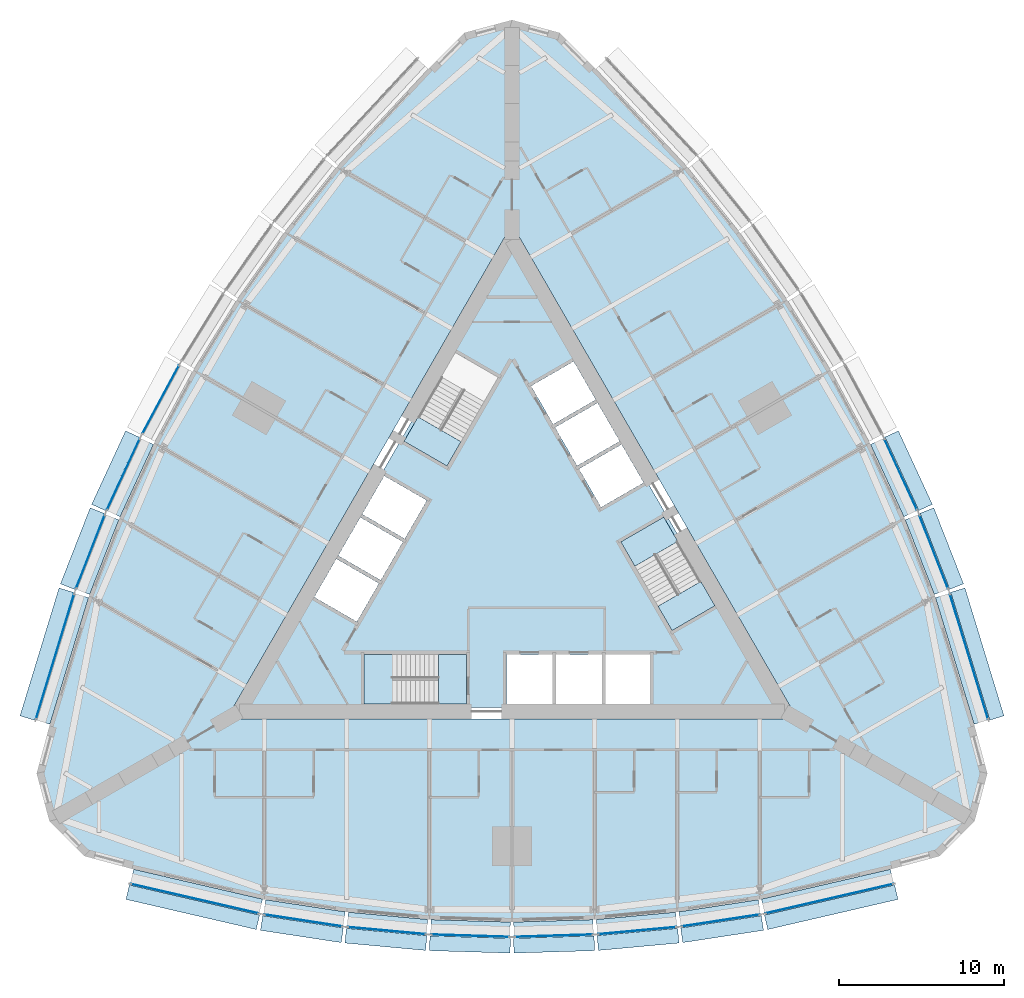
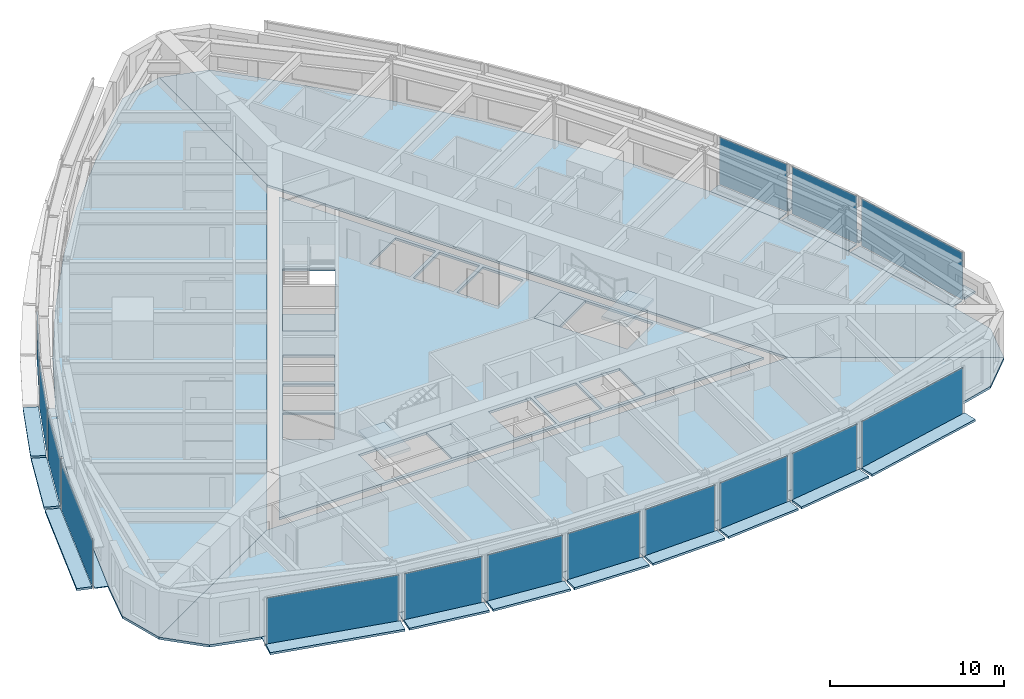
# One storey, part 6 of 14: 43 plates, 9 slabs, 18 elements without a shape of their own.
"""IFC4 building model written with IfcOpenShell, lengths in metres."""

import ifcopenshell
import ifcopenshell.guid

model = None  # the IFC model being written
_history = None  # IfcOwnerHistory: only IFC2X3 demands one
_inside = {}  # id of a spatial element -> (the spatial element, [elements in it])
_under = {}  # id of a project, library or spatial element -> (it, [spatial elements below it])
_declared = {}  # id of a project -> (the project, [libraries it declares])
_typed = {}  # id of a type object -> (the type object, [elements of that type])
_made_of = {}  # id of a material, layer set ... -> (it, [elements and type objects made of it])


def new_model(schema):
    """Start an empty IFC model of exactly this schema.

    Asked for "IFC4X3", IfcOpenShell would pick the latest addendum, in which some entities
    have other attributes; the version numbers below select the first issue.
    IFC2X3 requires an IfcOwnerHistory on every rooted entity: one is made here for all.
    """
    global model, _history
    if schema == "IFC4X3":
        model = ifcopenshell.file(schema_version=(4, 3, 0, 0))
    else:
        model = ifcopenshell.file(schema=schema)
    _inside.clear()
    _under.clear()
    _declared.clear()
    _typed.clear()
    _made_of.clear()
    _history = None
    if model.schema == "IFC2X3":
        org = make("IfcOrganization", Name="unknown")
        user = make(
            "IfcPersonAndOrganization",
            ThePerson=make("IfcPerson", FamilyName="unknown"),
            TheOrganization=org,
        )
        app = make(
            "IfcApplication",
            ApplicationDeveloper=org,
            Version="unknown",
            ApplicationFullName="unknown",
            ApplicationIdentifier="unknown",
        )
        _history = make(
            "IfcOwnerHistory",
            OwningUser=user,
            OwningApplication=app,
            ChangeAction="ADDED",
            CreationDate=0,
        )
    return model


def make(cls, **values):
    """One entity of the class cls with the attributes given. An attribute that is None is left unset."""
    return model.create_entity(
        cls, **{name: value for name, value in values.items() if value is not None}
    )


def rooted(cls, **values):
    """An entity with a GlobalId (a new one), such as an element, a storey or a relation."""
    return make(cls, GlobalId=ifcopenshell.guid.new(), OwnerHistory=_history, **values)


def si_unit(unit_type, name, prefix=None):
    """IfcSIUnit, for example si_unit("LENGTHUNIT", "METRE", prefix="MILLI")."""
    return make("IfcSIUnit", UnitType=unit_type, Prefix=prefix, Name=name)


def assignment(units):
    """IfcUnitAssignment: the units of a project."""
    return None if units is None else make("IfcUnitAssignment", Units=units)


def point(xyz):
    """IfcCartesianPoint."""
    return None if xyz is None else make("IfcCartesianPoint", Coordinates=xyz)


def direction(xyz):
    """IfcDirection."""
    return None if xyz is None else make("IfcDirection", DirectionRatios=xyz)


def frame(location, z_axis=None, x_axis=None):
    """IfcAxis2Placement3D, a coordinate frame: its origin and axes. An axis left out is left unset."""
    return make(
        "IfcAxis2Placement3D",
        Location=point(location),
        Axis=direction(z_axis),
        RefDirection=direction(x_axis),
    )


def frame_2d(location, x_axis=None):
    """IfcAxis2Placement2D, a coordinate frame in the plane: its origin and x axis."""
    return make(
        "IfcAxis2Placement2D", Location=point(location), RefDirection=direction(x_axis)
    )


def origin():
    """The frame at (0, 0, 0) with its axes left unset."""
    return frame((0.0, 0.0, 0.0))


def origin_2d():
    """The frame at (0, 0) in the plane with its x axis left unset."""
    return frame_2d((0.0, 0.0))


def place(relative_to, where):
    """IfcLocalPlacement: puts the frame where relative to a parent placement (None: the world)."""
    return make(
        "IfcLocalPlacement", PlacementRelTo=relative_to, RelativePlacement=where
    )


def context(
    kind, dimensions, precision=None, world=None, true_north=None, identifier=None
):
    """IfcGeometricRepresentationContext, for example the 3D "Model" context."""
    return make(
        "IfcGeometricRepresentationContext",
        ContextIdentifier=identifier,
        ContextType=kind,
        CoordinateSpaceDimension=dimensions,
        Precision=precision,
        WorldCoordinateSystem=world,
        TrueNorth=true_north,
    )


def subcontext(parent, identifier, kind, view, scale=None):
    """IfcGeometricRepresentationSubContext, for example "Body" below "Model"."""
    return make(
        "IfcGeometricRepresentationSubContext",
        ContextIdentifier=identifier,
        ContextType=kind,
        ParentContext=parent,
        TargetScale=scale,
        TargetView=view,
    )


def project(units=None, contexts=None):
    """IfcProject with its units and contexts."""
    return rooted(
        "IfcProject",
        Name="project",
        RepresentationContexts=contexts,
        UnitsInContext=assignment(units),
    )


def spatial(cls, under=None, at=None, **own):
    """A site, building, storey or space (cls), placed at a placement, below another one or the project."""
    s = rooted(cls, ObjectPlacement=at, **own)
    if under is not None:
        _under.setdefault(under.id(), (under, []))[1].append(s)
    return s


def polyline(points):
    """IfcPolyline through the points."""
    return make("IfcPolyline", Points=[point(p) for p in points])


def profile(cls, at=None, kind="AREA", **sizes):
    """A parametric profile (cls). Its sizes go by their IFC names, for example OverallWidth=200.0."""
    return make(cls, ProfileType=kind, Position=at, **sizes)


def rectangle(**sizes):
    """IfcRectangleProfileDef."""
    return profile("IfcRectangleProfileDef", **sizes)


def outline(outer, holes=None, kind="AREA"):
    """IfcArbitraryClosedProfileDef: a profile drawn as a closed curve; with holes, ...WithVoids."""
    if holes is None:
        return make("IfcArbitraryClosedProfileDef", ProfileType=kind, OuterCurve=outer)
    return make(
        "IfcArbitraryProfileDefWithVoids",
        ProfileType=kind,
        OuterCurve=outer,
        InnerCurves=holes,
    )


def extrude(swept, where, along, depth):
    """IfcExtrudedAreaSolid: the profile swept, set in the frame where, extruded along a direction by depth."""
    return make(
        "IfcExtrudedAreaSolid",
        SweptArea=swept,
        Position=where,
        ExtrudedDirection=direction(along),
        Depth=depth,
    )


def shape(context_of_items, identifier, shape_type, items):
    """IfcShapeRepresentation: the items that make up one representation, for example the "Body"."""
    return make(
        "IfcShapeRepresentation",
        ContextOfItems=context_of_items,
        RepresentationIdentifier=identifier,
        RepresentationType=shape_type,
        Items=items,
    )


def material(Name=None, Category=None):
    """IfcMaterial."""
    return make("IfcMaterial", Name=Name, Category=Category)


def layer(
    of_material, thickness, ventilated=None, Name=None, Category=None, Priority=None
):
    """IfcMaterialLayer: one layer of a wall or slab, of a material (None: an air gap)."""
    return make(
        "IfcMaterialLayer",
        Material=of_material,
        LayerThickness=thickness,
        IsVentilated=ventilated,
        Name=Name,
        Category=Category,
        Priority=Priority,
    )


def layer_set(layers, Name=None):
    """IfcMaterialLayerSet."""
    return make("IfcMaterialLayerSet", MaterialLayers=layers, LayerSetName=Name)


def made_of(thing, what):
    """Note that an element or type object is made of a material, layer set ...; save() writes the relation."""
    if what is not None:
        _made_of.setdefault(what.id(), (what, []))[1].append(thing)
    return thing


def type_object(cls, material=None, **own):
    """A type object (cls), such as IfcWallType, which elements share."""
    return made_of(rooted(cls, **own), material)


def element(
    cls,
    number,
    at=None,
    inside=None,
    cuts=None,
    type_object=None,
    material=None,
    context=None,
    identifier="Body",
    shape_type=None,
    held_by="IfcProductDefinitionShape",
    body=None,
    shapes=None,
    **own,
):
    """One element of the class cls, such as IfcWall. Its Tag is "e" and its number.

    at: its placement. inside: the storey or other place that contains it. cuts: it is an
    opening in that element (IfcRelVoidsElement). A single representation is given by context,
    identifier, shape_type and body (its items); several are given by shapes. held_by: the class
    of the entity that holds the representations. save() writes the other relations.
    """
    e = rooted(cls, Tag="e%d" % number, ObjectPlacement=at, **own)
    if body is not None:
        shapes = [shape(context, identifier, shape_type, body)]
    if shapes is not None:
        e.Representation = make(held_by, Representations=shapes)
    if inside is not None:
        _inside.setdefault(inside.id(), (inside, []))[1].append(e)
    if cuts is not None:
        rooted(
            "IfcRelVoidsElement", RelatingBuildingElement=cuts, RelatedOpeningElement=e
        )
    if type_object is not None:
        _typed.setdefault(type_object.id(), (type_object, []))[1].append(e)
    return made_of(e, material)


def aggregate(whole, parts):
    """IfcRelAggregates: a whole, such as a stair, and the parts it consists of."""
    return rooted("IfcRelAggregates", RelatingObject=whole, RelatedObjects=parts)


def save(model, path):
    """Write the relations noted so far, then the file.

    IfcRelAggregates (storeys below a building ...), IfcRelContainedInSpatialStructure (elements
    in a storey), IfcRelDefinesByType, IfcRelAssociatesMaterial and IfcRelDeclares: one each for
    every whole, place, type object, material and project.
    """
    for whole, parts in _under.values():
        aggregate(whole, parts)
    for where, things in _inside.values():
        rooted(
            "IfcRelContainedInSpatialStructure",
            RelatedElements=things,
            RelatingStructure=where,
        )
    for kind, things in _typed.values():
        rooted("IfcRelDefinesByType", RelatedObjects=things, RelatingType=kind)
    for what, things in _made_of.values():
        rooted("IfcRelAssociatesMaterial", RelatedObjects=things, RelatingMaterial=what)
    for by, libraries in _declared.values():
        rooted("IfcRelDeclares", RelatingContext=by, RelatedDefinitions=libraries)
    model.write(path)


model = new_model("IFC4")

# Units and contexts
model_context = context("Model", 3, precision=1e-05, world=origin(), true_north=direction((0.0, 1.0)))
body_context = subcontext(model_context, "Body", "Model", "MODEL_VIEW")
ifc_project = project(units=[si_unit("LENGTHUNIT", "METRE"), si_unit("AREAUNIT", "SQUARE_METRE"), si_unit("VOLUMEUNIT", "CUBIC_METRE"), si_unit("PLANEANGLEUNIT", "RADIAN"), si_unit("MASSUNIT", "GRAM", prefix="KILO")], contexts=[model_context])

# Site, building, storey
site_placement = place(None, origin())
site = spatial("IfcSite", under=ifc_project, at=site_placement, CompositionType="ELEMENT")
building_placement = place(site_placement, origin())
building = spatial("IfcBuilding", under=site, at=building_placement, Name="Trikona Tower", CompositionType="ELEMENT")
storey_placement = place(building_placement, frame((0.0, 0.0, 82.89990234375)))
storey = spatial("IfcBuildingStorey", under=building, at=storey_placement, Name="L21", CompositionType="ELEMENT", Elevation=82.89990234375)

# Plates
ifc_material_1 = material(Name="Aluminium bar grating", Category="aluminium")
ifc_layer_1 = layer(ifc_material_1, 0.050048828125)
ifc_layer_set_1 = layer_set([ifc_layer_1], Name="Cavity catwalk grating")
plate_type_1 = type_object("IfcPlateType", Name="Cavity catwalk grating", PredefinedType="USERDEFINED", material=ifc_layer_set_1)
plate_1_placement = place(storey_placement, frame((-19.09228515625, -20.377197265625, -0.0498046875), z_axis=(0.0, 0.0, 1.0), x_axis=(0.974277718622, -0.225350675607, 0.0)))
element("IfcPlate", 1, at=plate_1_placement, inside=storey, type_object=plate_type_1, Name="Cavity catwalk L21-00", ObjectType="CATWALK GRATING", PredefinedType="USERDEFINED", context=body_context, shape_type="SweptSolid", body=[
    extrude(rectangle(XDim=8.01123046875, YDim=0.820068359375, at=origin_2d()), origin(), (0.0, 0.0, 1.0), 0.050048828125),
])
plate_2_placement = place(storey_placement, frame((-12.561767578125, -21.688720703125, -0.0498046875), z_axis=(0.0, 0.0, 1.0), x_axis=(0.988617896768, -0.150448177754, 0.0)))
element("IfcPlate", 2, at=plate_2_placement, inside=storey, type_object=plate_type_1, Name="Cavity catwalk L21-01", ObjectType="CATWALK GRATING", PredefinedType="USERDEFINED", context=body_context, shape_type="SweptSolid", body=[
    extrude(rectangle(XDim=4.857666015625, YDim=0.820068359375, at=origin_2d()), origin(), (0.0, 0.0, 1.0), 0.050048828125),
])
plate_3_placement = place(storey_placement, frame((-7.537353515625, -22.300537109375, -0.0498046875), z_axis=(0.0, 0.0, 1.0), x_axis=(0.995858098326, -0.090921108655, 0.0)))
element("IfcPlate", 3, at=plate_3_placement, inside=storey, type_object=plate_type_1, Name="Cavity catwalk L21-02", ObjectType="CATWALK GRATING", PredefinedType="USERDEFINED", context=body_context, shape_type="SweptSolid", body=[
    extrude(rectangle(XDim=4.82080078125, YDim=0.820068359375, at=origin_2d()), origin(), (0.0, 0.0, 1.0), 0.050048828125),
])
for number, where, z_axis, x_axis, name in (
    (4, (-2.512451171875, -22.606201171875, -0.0498046875), (0.0, 0.0, 1.0), (0.999537048889, -0.030425119525, 0.0), "Cavity catwalk L21-03"),
    (5, (2.512451171875, -22.606201171875, -0.0498046875), (0.0, 0.0, 1.0), (0.999537048889, 0.030425119525, 0.0), "Cavity catwalk L21-04"),
):
    element("IfcPlate", number, at=place(storey_placement, frame(where, z_axis=z_axis, x_axis=x_axis)), inside=storey, type_object=plate_type_1, Name=name, ObjectType="CATWALK GRATING", PredefinedType="USERDEFINED", context=body_context, shape_type="SweptSolid", body=[
        extrude(rectangle(XDim=4.80224609375, YDim=0.820068359375, at=origin_2d()), origin(), (0.0, 0.0, 1.0), 0.050048828125),
    ])
plate_4_placement = place(storey_placement, frame((7.537353515625, -22.300537109375, -0.0498046875), z_axis=(0.0, 0.0, 1.0), x_axis=(0.995858098326, 0.090921108655, 0.0)))
element("IfcPlate", 6, at=plate_4_placement, inside=storey, type_object=plate_type_1, Name="Cavity catwalk L21-05", ObjectType="CATWALK GRATING", PredefinedType="USERDEFINED", context=body_context, shape_type="SweptSolid", body=[
    extrude(rectangle(XDim=4.82080078125, YDim=0.820068359375, at=origin_2d()), origin(), (0.0, 0.0, 1.0), 0.050048828125),
])
plate_5_placement = place(storey_placement, frame((12.561767578125, -21.688720703125, -0.0498046875), z_axis=(0.0, 0.0, 1.0), x_axis=(0.988617896768, 0.150448177754, 0.0)))
element("IfcPlate", 7, at=plate_5_placement, inside=storey, type_object=plate_type_1, Name="Cavity catwalk L21-06", ObjectType="CATWALK GRATING", PredefinedType="USERDEFINED", context=body_context, shape_type="SweptSolid", body=[
    extrude(rectangle(XDim=4.857666015625, YDim=0.820068359375, at=origin_2d()), origin(), (0.0, 0.0, 1.0), 0.050048828125),
])
for number, where, z_axis, x_axis, name in (
    (8, (19.09228515625, -20.377197265625, -0.0498046875), (0.0, 0.0, 1.0), (0.974277718622, 0.225350675607, 0.0), "Cavity catwalk L21-07"),
    (9, (27.193359375, -6.345947265625, -0.0498046875), (0.0, 0.0, 1.0), (-0.291979449475, 0.956424592471, 0.0), "Cavity catwalk L21-12"),
):
    element("IfcPlate", number, at=place(storey_placement, frame(where, z_axis=z_axis, x_axis=x_axis)), inside=storey, type_object=plate_type_1, Name=name, ObjectType="CATWALK GRATING", PredefinedType="USERDEFINED", context=body_context, shape_type="SweptSolid", body=[
        extrude(rectangle(XDim=8.01123046875, YDim=0.820068359375, at=origin_2d()), origin(), (0.0, 0.0, 1.0), 0.050048828125),
    ])
plate_6_placement = place(storey_placement, frame((25.06396484375, -0.034423828125, -0.0498046875), z_axis=(0.0, 0.0, 1.0), x_axis=(-0.364008876551, 0.931395478726, 0.0)))
element("IfcPlate", 10, at=plate_6_placement, inside=storey, type_object=plate_type_1, Name="Cavity catwalk L21-13", ObjectType="CATWALK GRATING", PredefinedType="USERDEFINED", context=body_context, shape_type="SweptSolid", body=[
    extrude(rectangle(XDim=4.857666015625, YDim=0.820068359375, at=origin_2d()), origin(), (0.0, 0.0, 1.0), 0.050048828125),
])
for number, where, z_axis, x_axis, name in (
    (11, (23.081298828125, 4.622802734375, -0.0498046875), (0.0, 0.0, 1.0), (-0.41919381307, 0.907896771161, 0.0), "Cavity catwalk L21-14"),
    (12, (-23.081298828125, 4.622802734375, -0.0498046875), (0.0, 0.0, 1.0), (-0.41919381307, -0.907896771161, 0.0), "Cavity catwalk L21-29"),
):
    element("IfcPlate", number, at=place(storey_placement, frame(where, z_axis=z_axis, x_axis=x_axis)), inside=storey, type_object=plate_type_1, Name=name, ObjectType="CATWALK GRATING", PredefinedType="USERDEFINED", context=body_context, shape_type="SweptSolid", body=[
        extrude(rectangle(XDim=4.82080078125, YDim=0.820068359375, at=origin_2d()), origin(), (0.0, 0.0, 1.0), 0.050048828125),
    ])
plate_7_placement = place(storey_placement, frame((-25.06396484375, -0.034423828125, -0.0498046875), z_axis=(0.0, 0.0, 1.0), x_axis=(-0.364008876551, -0.931395478726, 0.0)))
element("IfcPlate", 13, at=plate_7_placement, inside=storey, type_object=plate_type_1, Name="Cavity catwalk L21-30", ObjectType="CATWALK GRATING", PredefinedType="USERDEFINED", context=body_context, shape_type="SweptSolid", body=[
    extrude(rectangle(XDim=4.857666015625, YDim=0.820068359375, at=origin_2d()), origin(), (0.0, 0.0, 1.0), 0.050048828125),
])
plate_8_placement = place(storey_placement, frame((-27.193359375, -6.345947265625, -0.0498046875), z_axis=(0.0, 0.0, 1.0), x_axis=(-0.291979449475, -0.956424592471, 0.0)))
element("IfcPlate", 14, at=plate_8_placement, inside=storey, type_object=plate_type_1, Name="Cavity catwalk L21-31", ObjectType="CATWALK GRATING", PredefinedType="USERDEFINED", context=body_context, shape_type="SweptSolid", body=[
    extrude(rectangle(XDim=8.01123046875, YDim=0.820068359375, at=origin_2d()), origin(), (0.0, 0.0, 1.0), 0.050048828125),
])

# Slabs
ifc_material_2 = material(Name="Concrete f'c 5000 psi lightweight on composite steel deck", Category="concrete")
ifc_layer_2 = layer(ifc_material_2, 0.1650390625)
ifc_layer_set_2 = layer_set([ifc_layer_2], Name="Composite floor slab 165")
slab_type_1 = type_object("IfcSlabType", Name="Composite floor slab 165", PredefinedType="FLOOR", material=ifc_layer_set_2)
slab_1_placement = place(storey_placement, frame((0.0, 0.0, -0.164794921875)))
element("IfcSlab", 15, at=slab_1_placement, inside=storey, type_object=slab_type_1, Name="Floor slab L21 core", PredefinedType="FLOOR", context=body_context, shape_type="SweptSolid", body=[
    extrude(outline(polyline([(-16.06689453125, -9.2763671875), (16.06689453125, -9.2763671875), (0.0, 18.552490234375), (-16.06689453125, -9.2763671875)]), holes=[polyline([(12.285400390625, -3.126220703125), (9.185302734375, 2.2431640625), (6.587158203125, 0.7431640625), (9.687255859375, -4.626220703125), (12.285400390625, -3.126220703125)]), polyline([(8.340087890625, -9.06640625), (8.340087890625, -6.086181640625), (5.659912109375, -6.086181640625), (5.659912109375, -9.06640625), (8.340087890625, -9.06640625)]), polyline([(5.390869140625, 2.835205078125), (7.9716796875, 4.3251953125), (6.631591796875, 6.646240234375), (4.05078125, 5.15625), (5.390869140625, 2.835205078125)]), polyline([(2.600830078125, 7.667724609375), (3.94091796875, 5.3466796875), (6.521484375, 6.8369140625), (5.181640625, 9.15771484375), (2.600830078125, 7.667724609375)]), polyline([(5.43994140625, -6.086181640625), (2.659912109375, -6.086181640625), (2.659912109375, -9.06640625), (5.43994140625, -9.06640625), (5.43994140625, -6.086181640625)]), polyline([(3.731689453125, 11.669189453125), (1.15087890625, 10.17919921875), (2.490966796875, 7.858154296875), (5.071533203125, 9.34814453125), (3.731689453125, 11.669189453125)]), polyline([(-0.340087890625, -6.086181640625), (-0.340087890625, -9.06640625), (2.43994140625, -9.06640625), (2.43994140625, -6.086181640625), (-0.340087890625, -6.086181640625)]), polyline([(-3.435302734375, 12.202392578125), (-6.535400390625, 6.8330078125), (-3.937255859375, 5.3330078125), (-0.837158203125, 10.702392578125), (-3.435302734375, 12.202392578125)]), polyline([(-8.949951171875, -9.076416015625), (-2.75, -9.076416015625), (-2.75, -6.076416015625), (-8.949951171875, -6.076416015625), (-8.949951171875, -9.076416015625)]), polyline([(-5.15087890625, 3.2509765625), (-7.731689453125, 4.740966796875), (-9.071533203125, 2.419921875), (-6.490966796875, 0.929931640625), (-5.15087890625, 3.2509765625)]), polyline([(-7.94091796875, -1.581298828125), (-6.600830078125, 0.739501953125), (-9.181640625, 2.2294921875), (-10.521484375, -0.09130859375), (-7.94091796875, -1.581298828125)]), polyline([(-11.9716796875, -2.602783203125), (-9.390869140625, -4.093017578125), (-8.05078125, -1.77197265625), (-10.631591796875, -0.281982421875), (-11.9716796875, -2.602783203125)])]), origin(), (0.0, 0.0, 1.0), 0.164794921875),
])
slab_2_placement = place(storey_placement, frame((0.0, 0.0, -0.164794921875)))
element("IfcSlab", 16, at=slab_2_placement, inside=storey, type_object=slab_type_1, Name="Floor slab L21 south", PredefinedType="FLOOR", context=body_context, shape_type="SweptSolid", body=[
    extrude(outline(polyline([(25.88671875, -18.279052734375), (28.0, -16.165771484375), (17.279296875, -9.976318359375), (-17.279296875, -9.976318359375), (-28.0, -16.165771484375), (-25.88671875, -18.279052734375), (-23.0, -19.052490234375), (-15.0, -20.903076171875), (-10.0, -21.663818359375), (-5.0, -22.120361328125), (0.0, -22.272705078125), (5.0, -22.120361328125), (10.0, -21.663818359375), (15.0, -20.903076171875), (23.0, -19.052490234375), (25.88671875, -18.279052734375)])), origin(), (0.0, 0.0, 1.0), 0.164794921875),
])
slab_3_placement = place(storey_placement, frame((0.0, 0.0, -0.164794921875)))
element("IfcSlab", 17, at=slab_3_placement, inside=storey, type_object=slab_type_1, Name="Floor slab L21 north-east", PredefinedType="FLOOR", context=body_context, shape_type="SweptSolid", body=[
    extrude(outline(polyline([(2.88671875, 31.55810546875), (0.0, 32.33154296875), (0.0, 19.95263671875), (17.279296875, -9.976318359375), (28.0, -16.165771484375), (28.7734375, -13.279052734375), (28.0, -10.392333984375), (25.6025390625, -2.538818359375), (23.761474609375, 2.171630859375), (21.65673828125, 6.72998046875), (19.28857421875, 11.13623046875), (16.65673828125, 15.390380859375), (13.761474609375, 19.4921875), (10.6025390625, 23.44189453125), (5.0, 29.44482421875), (2.88671875, 31.55810546875)])), origin(), (0.0, 0.0, 1.0), 0.164794921875),
])
slab_4_placement = place(storey_placement, frame((0.0, 0.0, -0.164794921875)))
element("IfcSlab", 18, at=slab_4_placement, inside=storey, type_object=slab_type_1, Name="Floor slab L21 north-west", PredefinedType="FLOOR", context=body_context, shape_type="SweptSolid", body=[
    extrude(outline(polyline([(0.0, 19.95263671875), (0.0, 32.33154296875), (-2.88671875, 31.55810546875), (-5.0, 29.44482421875), (-10.6025390625, 23.44189453125), (-13.761474609375, 19.4921875), (-16.65673828125, 15.390380859375), (-19.28857421875, 11.13623046875), (-21.65673828125, 6.72998046875), (-23.761474609375, 2.171630859375), (-25.6025390625, -2.538818359375), (-28.0, -10.392333984375), (-28.7734375, -13.279052734375), (-28.0, -16.165771484375), (-17.279296875, -9.976318359375), (0.0, 19.95263671875)])), origin(), (0.0, 0.0, 1.0), 0.164794921875),
])

# Curtain wall, plate
ifc_material_3 = material(Name="Aluminium curtain wall system", Category="aluminium")
curtain_wall_type = type_object("IfcCurtainWallType", Name="Curtain wall DS1", PredefinedType="NOTDEFINED", material=ifc_material_3)
curtain_wall_1_placement = place(storey_placement, origin())
curtain_wall_1 = element("IfcCurtainWall", 19, at=curtain_wall_1_placement, inside=storey, type_object=curtain_wall_type, Name="Curtain wall DS1 L21", PredefinedType="NOTDEFINED")
ifc_material_4 = material(Name="Laminated clear glass", Category="glass")
ifc_layer_3 = layer(ifc_material_4, 0.028076171875)
ifc_layer_set_3 = layer_set([ifc_layer_3], Name="Glass panel DS1")
plate_type_2 = type_object("IfcPlateType", Name="Glass panel DS1", PredefinedType="CURTAIN_PANEL", material=ifc_layer_set_3)
plate_9_placement = place(storey_placement, frame((-19.202880859375, -20.854736328125, 0.0), z_axis=(0.0, 0.0, 1.0), x_axis=(0.974279427173, -0.225343288756, 0.0)))
plate_9 = element("IfcPlate", 20, at=plate_9_placement, type_object=plate_type_2, Name="CW-DS1 panel 1.1", PredefinedType="CURTAIN_PANEL", context=body_context, shape_type="SweptSolid", body=[
    extrude(rectangle(XDim=7.93115234375, YDim=0.028076171875, at=origin_2d()), origin(), (0.0, 0.0, 1.0), 3.320068359375),
])
aggregate(curtain_wall_1, [plate_9])

curtain_wall_2_placement = place(storey_placement, origin())
curtain_wall_2 = element("IfcCurtainWall", 21, at=curtain_wall_2_placement, inside=storey, type_object=curtain_wall_type, Name="Curtain wall DS1 L21", PredefinedType="NOTDEFINED")
plate_10_placement = place(storey_placement, frame((-12.635498046875, -22.173095703125, 0.0), z_axis=(0.0, 0.0, 1.0), x_axis=(0.988619492156, -0.150437693845, 0.0)))
plate_10 = element("IfcPlate", 22, at=plate_10_placement, type_object=plate_type_2, Name="CW-DS1 panel 1.1", PredefinedType="CURTAIN_PANEL", context=body_context, shape_type="SweptSolid", body=[
    extrude(rectangle(XDim=4.777587890625, YDim=0.028076171875, at=origin_2d()), origin(), (0.0, 0.0, 1.0), 3.320068359375),
])
aggregate(curtain_wall_2, [plate_10])

curtain_wall_3_placement = place(storey_placement, origin())
curtain_wall_3 = element("IfcCurtainWall", 23, at=curtain_wall_3_placement, inside=storey, type_object=curtain_wall_type, Name="Curtain wall DS1 L21", PredefinedType="NOTDEFINED")
plate_11_placement = place(storey_placement, frame((-7.581787109375, -22.788330078125, 0.0), z_axis=(0.0, 0.0, 1.0), x_axis=(0.995857840485, -0.090923932737, 0.0)))
plate_11 = element("IfcPlate", 24, at=plate_11_placement, type_object=plate_type_2, Name="CW-DS1 panel 1.1", PredefinedType="CURTAIN_PANEL", context=body_context, shape_type="SweptSolid", body=[
    extrude(rectangle(XDim=4.74072265625, YDim=0.028076171875, at=origin_2d()), origin(), (0.0, 0.0, 1.0), 3.320068359375),
])
aggregate(curtain_wall_3, [plate_11])

curtain_wall_4_placement = place(storey_placement, origin())
curtain_wall_4 = element("IfcCurtainWall", 25, at=curtain_wall_4_placement, inside=storey, type_object=curtain_wall_type, Name="Curtain wall DS1 L21", PredefinedType="NOTDEFINED")
plate_12_placement = place(storey_placement, frame((-2.52734375, -23.09619140625, 0.0), z_axis=(0.0, 0.0, 1.0), x_axis=(0.999536695965, -0.030436711692, 0.0)))
plate_12 = element("IfcPlate", 26, at=plate_12_placement, type_object=plate_type_2, Name="CW-DS1 panel 1.1", PredefinedType="CURTAIN_PANEL", context=body_context, shape_type="SweptSolid", body=[
    extrude(rectangle(XDim=4.72216796875, YDim=0.028076171875, at=origin_2d()), origin(), (0.0, 0.0, 1.0), 3.320068359375),
])
aggregate(curtain_wall_4, [plate_12])

curtain_wall_5_placement = place(storey_placement, origin())
curtain_wall_5 = element("IfcCurtainWall", 27, at=curtain_wall_5_placement, inside=storey, type_object=curtain_wall_type, Name="Curtain wall DS1 L21", PredefinedType="NOTDEFINED")
plate_13_placement = place(storey_placement, frame((2.52734375, -23.09619140625, 0.0), z_axis=(0.0, 0.0, 1.0), x_axis=(0.999536695965, 0.030436711692, 0.0)))
plate_13 = element("IfcPlate", 28, at=plate_13_placement, type_object=plate_type_2, Name="CW-DS1 panel 1.1", PredefinedType="CURTAIN_PANEL", context=body_context, shape_type="SweptSolid", body=[
    extrude(rectangle(XDim=4.72216796875, YDim=0.028076171875, at=origin_2d()), origin(), (0.0, 0.0, 1.0), 3.320068359375),
])
aggregate(curtain_wall_5, [plate_13])

curtain_wall_6_placement = place(storey_placement, origin())
curtain_wall_6 = element("IfcCurtainWall", 29, at=curtain_wall_6_placement, inside=storey, type_object=curtain_wall_type, Name="Curtain wall DS1 L21", PredefinedType="NOTDEFINED")
plate_14_placement = place(storey_placement, frame((7.581787109375, -22.788330078125, 0.0), z_axis=(0.0, 0.0, 1.0), x_axis=(0.995857840485, 0.090923932737, 0.0)))
plate_14 = element("IfcPlate", 30, at=plate_14_placement, type_object=plate_type_2, Name="CW-DS1 panel 1.1", PredefinedType="CURTAIN_PANEL", context=body_context, shape_type="SweptSolid", body=[
    extrude(rectangle(XDim=4.74072265625, YDim=0.028076171875, at=origin_2d()), origin(), (0.0, 0.0, 1.0), 3.320068359375),
])
aggregate(curtain_wall_6, [plate_14])

curtain_wall_7_placement = place(storey_placement, origin())
curtain_wall_7 = element("IfcCurtainWall", 31, at=curtain_wall_7_placement, inside=storey, type_object=curtain_wall_type, Name="Curtain wall DS1 L21", PredefinedType="NOTDEFINED")
plate_15_placement = place(storey_placement, frame((12.635498046875, -22.173095703125, 0.0), z_axis=(0.0, 0.0, 1.0), x_axis=(0.988619492156, 0.150437693845, 0.0)))
plate_15 = element("IfcPlate", 32, at=plate_15_placement, type_object=plate_type_2, Name="CW-DS1 panel 1.1", PredefinedType="CURTAIN_PANEL", context=body_context, shape_type="SweptSolid", body=[
    extrude(rectangle(XDim=4.777587890625, YDim=0.028076171875, at=origin_2d()), origin(), (0.0, 0.0, 1.0), 3.320068359375),
])
aggregate(curtain_wall_7, [plate_15])

curtain_wall_8_placement = place(storey_placement, origin())
curtain_wall_8 = element("IfcCurtainWall", 33, at=curtain_wall_8_placement, inside=storey, type_object=curtain_wall_type, Name="Curtain wall DS1 L21", PredefinedType="NOTDEFINED")
plate_16_placement = place(storey_placement, frame((19.202880859375, -20.854736328125, 0.0), z_axis=(0.0, 0.0, 1.0), x_axis=(0.974279427173, 0.225343288756, 0.0)))
plate_16 = element("IfcPlate", 34, at=plate_16_placement, type_object=plate_type_2, Name="CW-DS1 panel 1.1", PredefinedType="CURTAIN_PANEL", context=body_context, shape_type="SweptSolid", body=[
    extrude(rectangle(XDim=7.93115234375, YDim=0.028076171875, at=origin_2d()), origin(), (0.0, 0.0, 1.0), 3.320068359375),
])
aggregate(curtain_wall_8, [plate_16])

curtain_wall_9_placement = place(storey_placement, origin())
curtain_wall_9 = element("IfcCurtainWall", 35, at=curtain_wall_9_placement, inside=storey, type_object=curtain_wall_type, Name="Curtain wall DS1 L21", PredefinedType="NOTDEFINED")
plate_17_placement = place(storey_placement, frame((27.662109375, -6.202880859375, 0.0), z_axis=(0.0, 0.0, 1.0), x_axis=(-0.291984287868, 0.956423115383, 0.0)))
plate_17 = element("IfcPlate", 36, at=plate_17_placement, type_object=plate_type_2, Name="CW-DS1 panel 1.1", PredefinedType="CURTAIN_PANEL", context=body_context, shape_type="SweptSolid", body=[
    extrude(rectangle(XDim=7.93115234375, YDim=0.028076171875, at=origin_2d()), origin(), (0.0, 0.0, 1.0), 3.320068359375),
])
aggregate(curtain_wall_9, [plate_17])

curtain_wall_10_placement = place(storey_placement, origin())
curtain_wall_10 = element("IfcCurtainWall", 37, at=curtain_wall_10_placement, inside=storey, type_object=curtain_wall_type, Name="Curtain wall DS1 L21", PredefinedType="NOTDEFINED")
plate_18_placement = place(storey_placement, frame((25.520263671875, 0.14404296875, 0.0), z_axis=(0.0, 0.0, 1.0), x_axis=(-0.36400756977, 0.931395989443, 0.0)))
plate_18 = element("IfcPlate", 38, at=plate_18_placement, type_object=plate_type_2, Name="CW-DS1 panel 1.1", PredefinedType="CURTAIN_PANEL", context=body_context, shape_type="SweptSolid", body=[
    extrude(rectangle(XDim=4.777587890625, YDim=0.028076171875, at=origin_2d()), origin(), (0.0, 0.0, 1.0), 3.320068359375),
])
aggregate(curtain_wall_10, [plate_18])

curtain_wall_11_placement = place(storey_placement, origin())
curtain_wall_11 = element("IfcCurtainWall", 39, at=curtain_wall_11_placement, inside=storey, type_object=curtain_wall_type, Name="Curtain wall DS1 L21", PredefinedType="NOTDEFINED")
plate_19_placement = place(storey_placement, frame((23.5263671875, 4.828125, 0.0), z_axis=(0.0, 0.0, 1.0), x_axis=(-0.419190155352, 0.907898459992, 0.0)))
plate_19 = element("IfcPlate", 40, at=plate_19_placement, type_object=plate_type_2, Name="CW-DS1 panel 1.1", PredefinedType="CURTAIN_PANEL", context=body_context, shape_type="SweptSolid", body=[
    extrude(rectangle(XDim=4.740966796875, YDim=0.028076171875, at=origin_2d()), origin(), (0.0, 0.0, 1.0), 3.320068359375),
])
aggregate(curtain_wall_11, [plate_19])

curtain_wall_12_placement = place(storey_placement, origin())
curtain_wall_12 = element("IfcCurtainWall", 41, at=curtain_wall_12_placement, inside=storey, type_object=curtain_wall_type, Name="Curtain wall DS1 L21", PredefinedType="NOTDEFINED")
plate_20_placement = place(storey_placement, frame((-21.265380859375, 9.359130859375, 0.0), z_axis=(0.0, 0.0, 1.0), x_axis=(-0.473408350896, -0.880843080975, 0.0)))
plate_20 = element("IfcPlate", 42, at=plate_20_placement, type_object=plate_type_2, Name="CW-DS1 panel 1.1", PredefinedType="CURTAIN_PANEL", context=body_context, shape_type="SweptSolid", body=[
    extrude(rectangle(XDim=4.72216796875, YDim=0.028076171875, at=origin_2d()), origin(), (0.0, 0.0, 1.0), 3.320068359375),
])
aggregate(curtain_wall_12, [plate_20])

curtain_wall_13_placement = place(storey_placement, origin())
curtain_wall_13 = element("IfcCurtainWall", 43, at=curtain_wall_13_placement, inside=storey, type_object=curtain_wall_type, Name="Curtain wall DS1 L21", PredefinedType="NOTDEFINED")
plate_21_placement = place(storey_placement, frame((-23.5263671875, 4.828125, 0.0), z_axis=(0.0, 0.0, 1.0), x_axis=(-0.419190155352, -0.907898459992, 0.0)))
plate_21 = element("IfcPlate", 44, at=plate_21_placement, type_object=plate_type_2, Name="CW-DS1 panel 1.1", PredefinedType="CURTAIN_PANEL", context=body_context, shape_type="SweptSolid", body=[
    extrude(rectangle(XDim=4.740966796875, YDim=0.028076171875, at=origin_2d()), origin(), (0.0, 0.0, 1.0), 3.320068359375),
])
aggregate(curtain_wall_13, [plate_21])

curtain_wall_14_placement = place(storey_placement, origin())
curtain_wall_14 = element("IfcCurtainWall", 45, at=curtain_wall_14_placement, inside=storey, type_object=curtain_wall_type, Name="Curtain wall DS1 L21", PredefinedType="NOTDEFINED")
plate_22_placement = place(storey_placement, frame((-25.520263671875, 0.14404296875, 0.0), z_axis=(0.0, 0.0, 1.0), x_axis=(-0.36400756977, -0.931395989443, 0.0)))
plate_22 = element("IfcPlate", 46, at=plate_22_placement, type_object=plate_type_2, Name="CW-DS1 panel 1.1", PredefinedType="CURTAIN_PANEL", context=body_context, shape_type="SweptSolid", body=[
    extrude(rectangle(XDim=4.777587890625, YDim=0.028076171875, at=origin_2d()), origin(), (0.0, 0.0, 1.0), 3.320068359375),
])
aggregate(curtain_wall_14, [plate_22])

curtain_wall_15_placement = place(storey_placement, origin())
curtain_wall_15 = element("IfcCurtainWall", 47, at=curtain_wall_15_placement, inside=storey, type_object=curtain_wall_type, Name="Curtain wall DS1 L21", PredefinedType="NOTDEFINED")
plate_23_placement = place(storey_placement, frame((-27.662109375, -6.202880859375, 0.0), z_axis=(0.0, 0.0, 1.0), x_axis=(-0.291984287868, -0.956423115383, 0.0)))
plate_23 = element("IfcPlate", 48, at=plate_23_placement, type_object=plate_type_2, Name="CW-DS1 panel 1.1", PredefinedType="CURTAIN_PANEL", context=body_context, shape_type="SweptSolid", body=[
    extrude(rectangle(XDim=7.93115234375, YDim=0.028076171875, at=origin_2d()), origin(), (0.0, 0.0, 1.0), 3.320068359375),
])
aggregate(curtain_wall_15, [plate_23])

# Plates
ifc_material_5 = material(Name="Aluminium plate fin, pale anodised, on stainless steel outriggers", Category="steel")
ifc_layer_4 = layer(ifc_material_5, 0.14990234375)
ifc_layer_set_4 = layer_set([ifc_layer_4], Name="Outer skin fin 900")
plate_type_3 = type_object("IfcPlateType", Name="Outer skin fin 900", PredefinedType="USERDEFINED", material=ifc_layer_set_4)
plate_24_placement = place(storey_placement, frame((-19.322265625, -21.37109375, 0.000244140625), z_axis=(0.0, 0.0, 1.0), x_axis=(0.974277718622, -0.225350675607, 0.0)))
element("IfcPlate", 49, at=plate_24_placement, inside=storey, type_object=plate_type_3, Name="Outer skin fin L21-00", ObjectType="FIN", PredefinedType="USERDEFINED", context=body_context, shape_type="SweptSolid", body=[
    extrude(rectangle(XDim=8.09130859375, YDim=0.89990234375, at=origin_2d()), origin(), (0.0, 0.0, 1.0), 0.14990234375),
])
plate_25_placement = place(storey_placement, frame((-12.715087890625, -22.697265625, 0.000244140625), z_axis=(0.0, 0.0, 1.0), x_axis=(0.988617896768, -0.150448177754, 0.0)))
element("IfcPlate", 50, at=plate_25_placement, inside=storey, type_object=plate_type_3, Name="Outer skin fin L21-01", ObjectType="FIN", PredefinedType="USERDEFINED", context=body_context, shape_type="SweptSolid", body=[
    extrude(rectangle(XDim=4.9375, YDim=0.89990234375, at=origin_2d()), origin(), (0.0, 0.0, 1.0), 0.14990234375),
])
plate_26_placement = place(storey_placement, frame((-7.6298828125, -23.316162109375, 0.000244140625), z_axis=(0.0, 0.0, 1.0), x_axis=(0.995858098326, -0.090921108655, 0.0)))
element("IfcPlate", 51, at=plate_26_placement, inside=storey, type_object=plate_type_3, Name="Outer skin fin L21-02", ObjectType="FIN", PredefinedType="USERDEFINED", context=body_context, shape_type="SweptSolid", body=[
    extrude(rectangle(XDim=4.90087890625, YDim=0.89990234375, at=origin_2d()), origin(), (0.0, 0.0, 1.0), 0.14990234375),
])
for number, where, z_axis, x_axis, name in (
    (52, (-2.54345703125, -23.625732421875, 0.000244140625), (0.0, 0.0, 1.0), (0.999537048889, -0.030425119525, 0.0), "Outer skin fin L21-03"),
    (53, (2.54345703125, -23.625732421875, 0.000244140625), (0.0, 0.0, 1.0), (0.999537048889, 0.030425119525, 0.0), "Outer skin fin L21-04"),
):
    element("IfcPlate", number, at=place(storey_placement, frame(where, z_axis=z_axis, x_axis=x_axis)), inside=storey, type_object=plate_type_3, Name=name, ObjectType="FIN", PredefinedType="USERDEFINED", context=body_context, shape_type="SweptSolid", body=[
        extrude(rectangle(XDim=4.88232421875, YDim=0.89990234375, at=origin_2d()), origin(), (0.0, 0.0, 1.0), 0.14990234375),
    ])
plate_27_placement = place(storey_placement, frame((7.6298828125, -23.316162109375, 0.000244140625), z_axis=(0.0, 0.0, 1.0), x_axis=(0.995858098326, 0.090921108655, 0.0)))
element("IfcPlate", 54, at=plate_27_placement, inside=storey, type_object=plate_type_3, Name="Outer skin fin L21-05", ObjectType="FIN", PredefinedType="USERDEFINED", context=body_context, shape_type="SweptSolid", body=[
    extrude(rectangle(XDim=4.90087890625, YDim=0.89990234375, at=origin_2d()), origin(), (0.0, 0.0, 1.0), 0.14990234375),
])
plate_28_placement = place(storey_placement, frame((12.715087890625, -22.697265625, 0.000244140625), z_axis=(0.0, 0.0, 1.0), x_axis=(0.988617896768, 0.150448177754, 0.0)))
element("IfcPlate", 55, at=plate_28_placement, inside=storey, type_object=plate_type_3, Name="Outer skin fin L21-06", ObjectType="FIN", PredefinedType="USERDEFINED", context=body_context, shape_type="SweptSolid", body=[
    extrude(rectangle(XDim=4.9375, YDim=0.89990234375, at=origin_2d()), origin(), (0.0, 0.0, 1.0), 0.14990234375),
])
for number, where, z_axis, x_axis, name in (
    (56, (19.322265625, -21.37109375, 0.000244140625), (0.0, 0.0, 1.0), (0.974277718622, 0.225350675607, 0.0), "Outer skin fin L21-07"),
    (57, (28.1689453125, -6.048095703125, 0.000244140625), (0.0, 0.0, 1.0), (-0.291979449475, 0.956424592471, 0.0), "Outer skin fin L21-12"),
):
    element("IfcPlate", number, at=place(storey_placement, frame(where, z_axis=z_axis, x_axis=x_axis)), inside=storey, type_object=plate_type_3, Name=name, ObjectType="FIN", PredefinedType="USERDEFINED", context=body_context, shape_type="SweptSolid", body=[
        extrude(rectangle(XDim=8.09130859375, YDim=0.89990234375, at=origin_2d()), origin(), (0.0, 0.0, 1.0), 0.14990234375),
    ])
plate_29_placement = place(storey_placement, frame((26.013916015625, 0.3369140625, 0.000244140625), z_axis=(0.0, 0.0, 1.0), x_axis=(-0.364008876551, 0.931395478726, 0.0)))
element("IfcPlate", 58, at=plate_29_placement, inside=storey, type_object=plate_type_3, Name="Outer skin fin L21-13", ObjectType="FIN", PredefinedType="USERDEFINED", context=body_context, shape_type="SweptSolid", body=[
    extrude(rectangle(XDim=4.9375, YDim=0.89990234375, at=origin_2d()), origin(), (0.0, 0.0, 1.0), 0.14990234375),
])
for number, where, z_axis, x_axis, name in (
    (59, (24.00732421875, 5.05029296875, 0.000244140625), (0.0, 0.0, 1.0), (-0.41919381307, 0.907896771161, 0.0), "Outer skin fin L21-14"),
    (60, (-24.00732421875, 5.05029296875, 0.000244140625), (0.0, 0.0, 1.0), (-0.41919381307, -0.907896771161, 0.0), "Outer skin fin L21-29"),
):
    element("IfcPlate", number, at=place(storey_placement, frame(where, z_axis=z_axis, x_axis=x_axis)), inside=storey, type_object=plate_type_3, Name=name, ObjectType="FIN", PredefinedType="USERDEFINED", context=body_context, shape_type="SweptSolid", body=[
        extrude(rectangle(XDim=4.90087890625, YDim=0.89990234375, at=origin_2d()), origin(), (0.0, 0.0, 1.0), 0.14990234375),
    ])
plate_30_placement = place(storey_placement, frame((-26.013916015625, 0.3369140625, 0.000244140625), z_axis=(0.0, 0.0, 1.0), x_axis=(-0.364008876551, -0.931395478726, 0.0)))
element("IfcPlate", 61, at=plate_30_placement, inside=storey, type_object=plate_type_3, Name="Outer skin fin L21-30", ObjectType="FIN", PredefinedType="USERDEFINED", context=body_context, shape_type="SweptSolid", body=[
    extrude(rectangle(XDim=4.9375, YDim=0.89990234375, at=origin_2d()), origin(), (0.0, 0.0, 1.0), 0.14990234375),
])
plate_31_placement = place(storey_placement, frame((-28.1689453125, -6.048095703125, 0.000244140625), z_axis=(0.0, 0.0, 1.0), x_axis=(-0.291979449475, -0.956424592471, 0.0)))
element("IfcPlate", 62, at=plate_31_placement, inside=storey, type_object=plate_type_3, Name="Outer skin fin L21-31", ObjectType="FIN", PredefinedType="USERDEFINED", context=body_context, shape_type="SweptSolid", body=[
    extrude(rectangle(XDim=8.09130859375, YDim=0.89990234375, at=origin_2d()), origin(), (0.0, 0.0, 1.0), 0.14990234375),
])

# Stair, slabs
ifc_material_6 = material(Name="Concrete f'c 5000 psi", Category="concrete")
stair_type = type_object("IfcStairType", Name="Core stair", PredefinedType="HALF_TURN_STAIR", material=ifc_material_6)
stair_1_placement = place(storey_placement, origin())
stair_1 = element("IfcStair", 63, at=stair_1_placement, inside=storey, type_object=stair_type, Name="Stair A L21", PredefinedType="HALF_TURN_STAIR")
ifc_material_7 = material(Name="Concrete f'c 5000 psi", Category="concrete")
ifc_layer_5 = layer(ifc_material_7, 0.199951171875)
ifc_layer_set_5 = layer_set([ifc_layer_5], Name="Stair landing 200")
slab_type_2 = type_object("IfcSlabType", Name="Stair landing 200", PredefinedType="LANDING", material=ifc_layer_set_5)
slab_5_placement = place(storey_placement, frame((0.0, 0.0, -0.199951171875)))
slab_5 = element("IfcSlab", 64, at=slab_5_placement, type_object=slab_type_2, Name="ST-A landing 1", PredefinedType="LANDING", context=body_context, shape_type="SweptSolid", body=[
    extrude(outline(polyline([(-4.452880859375, -6.076416015625), (-2.75, -6.076416015625), (-2.75, -9.076416015625), (-4.452880859375, -9.076416015625), (-4.452880859375, -6.076416015625)])), origin(), (0.0, 0.0, 1.0), 0.199951171875),
])
slab_6_placement = place(storey_placement, frame((0.0, 0.0, 1.5)))
slab_6 = element("IfcSlab", 65, at=slab_6_placement, type_object=slab_type_2, Name="ST-A landing 2", PredefinedType="LANDING", context=body_context, shape_type="SweptSolid", body=[
    extrude(outline(polyline([(-8.949951171875, -6.076416015625), (-7.2470703125, -6.076416015625), (-7.2470703125, -9.076416015625), (-8.949951171875, -9.076416015625), (-8.949951171875, -6.076416015625)])), origin(), (0.0, 0.0, 1.0), 0.2001953125),
])
aggregate(stair_1, [slab_5, slab_6])

stair_2_placement = place(storey_placement, origin())
stair_2 = element("IfcStair", 66, at=stair_2_placement, inside=storey, type_object=stair_type, Name="Stair B L21", PredefinedType="HALF_TURN_STAIR")
slab_7_placement = place(storey_placement, frame((0.0, 0.0, -0.199951171875)))
slab_7 = element("IfcSlab", 67, at=slab_7_placement, type_object=slab_type_2, Name="ST-B landing 1", PredefinedType="LANDING", context=body_context, shape_type="SweptSolid", body=[
    extrude(outline(polyline([(7.438720703125, -0.731689453125), (6.587158203125, 0.7431640625), (9.185302734375, 2.2431640625), (10.036865234375, 0.768310546875), (7.438720703125, -0.731689453125)])), origin(), (0.0, 0.0, 1.0), 0.199951171875),
])
slab_8_placement = place(storey_placement, frame((0.0, 0.0, 1.5)))
slab_8 = element("IfcSlab", 68, at=slab_8_placement, type_object=slab_type_2, Name="ST-B landing 2", PredefinedType="LANDING", context=body_context, shape_type="SweptSolid", body=[
    extrude(outline(polyline([(9.687255859375, -4.626220703125), (8.835693359375, -3.1513671875), (11.433837890625, -1.6513671875), (12.285400390625, -3.126220703125), (9.687255859375, -4.626220703125)])), origin(), (0.0, 0.0, 1.0), 0.2001953125),
])
aggregate(stair_2, [slab_7, slab_8])

# Stair, slab
stair_3_placement = place(storey_placement, origin())
stair_3 = element("IfcStair", 69, at=stair_3_placement, inside=storey, type_object=stair_type, Name="Stair C L21", PredefinedType="HALF_TURN_STAIR")
slab_9_placement = place(storey_placement, frame((0.0, 0.0, -0.199951171875)))
slab_9 = element("IfcSlab", 70, at=slab_9_placement, type_object=slab_type_2, Name="ST-C landing 1", PredefinedType="LANDING", context=body_context, shape_type="SweptSolid", body=[
    extrude(outline(polyline([(-3.085693359375, 6.807861328125), (-3.937255859375, 5.3330078125), (-6.535400390625, 6.8330078125), (-5.683837890625, 8.307861328125), (-3.085693359375, 6.807861328125)])), origin(), (0.0, 0.0, 1.0), 0.199951171875),
])
aggregate(stair_3, [slab_9])

save(model, "model.ifc")
